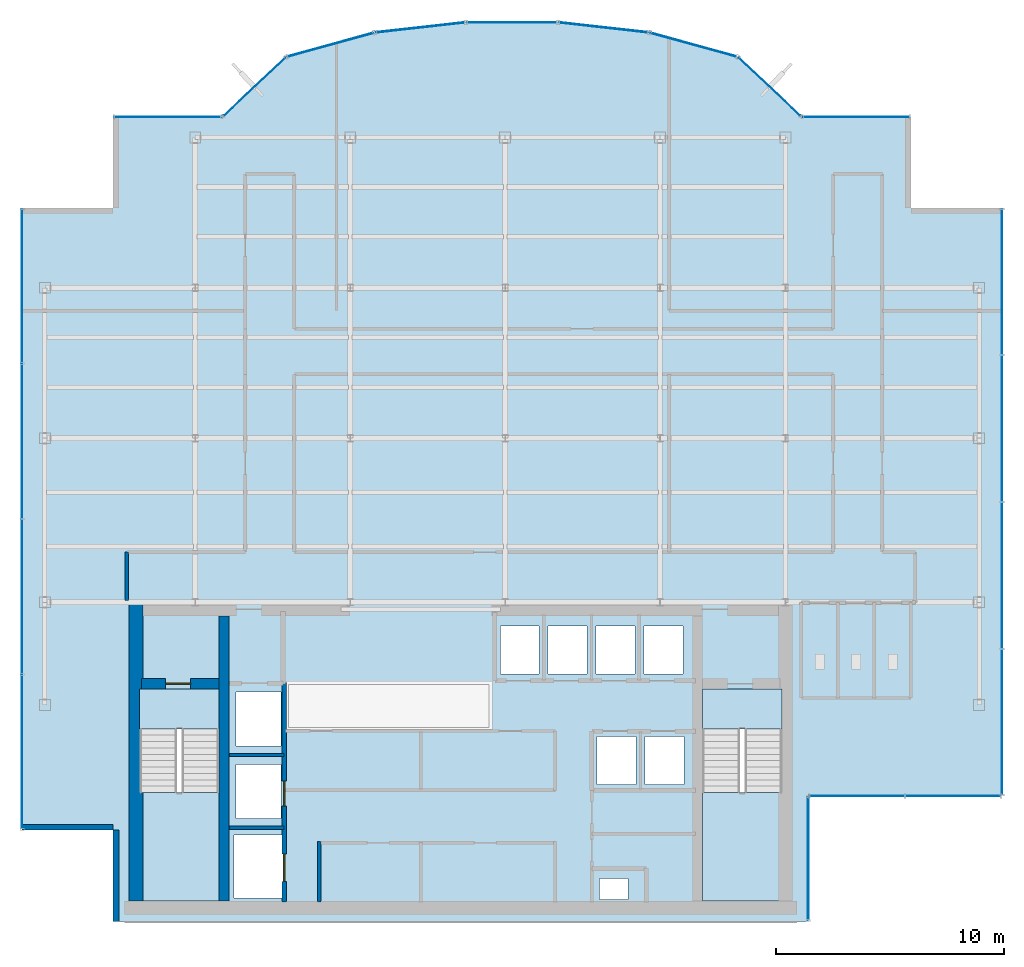
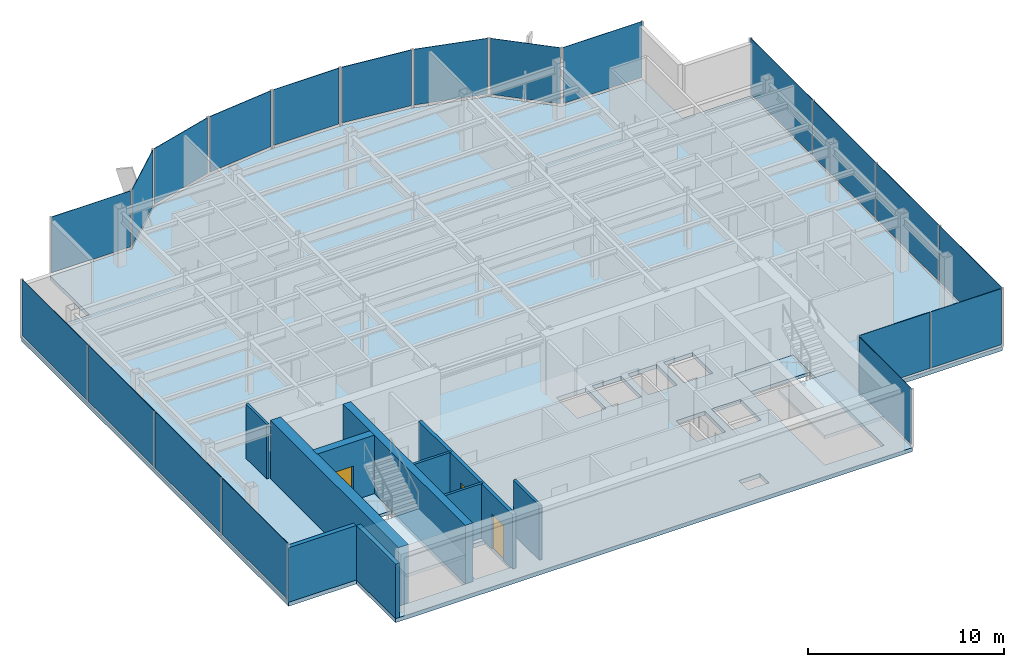
# One storey, part 16 of 22: 20 plates, 10 walls, 5 slabs, 3 doors, 3 openings, 15 elements without a shape of their own.
"""IFC4 building model written with IfcOpenShell, lengths in metres."""

from ifc_helpers import new_model, si_unit, derived_unit, direction, frame, frame_2d, origin, origin_2d, place, context, subcontext, project, spatial, polyline, rectangle, outline, extrude, source, transform, mapped, material, layer, layer_set, type_object, element, fill, aggregate, save


model = new_model("IFC4")

# Units and contexts
model_context = context("Model", 3, precision=1e-05, world=origin(), true_north=direction((0.0, 1.0)))
body_context = subcontext(model_context, "Body", "Model", "MODEL_VIEW")
ifc_project = project(units=[si_unit("LENGTHUNIT", "METRE"), si_unit("AREAUNIT", "SQUARE_METRE"), si_unit("VOLUMEUNIT", "CUBIC_METRE"), si_unit("PLANEANGLEUNIT", "RADIAN"), si_unit("MASSUNIT", "GRAM", prefix="KILO"), derived_unit("THERMALTRANSMITTANCEUNIT", [(si_unit("POWERUNIT", "WATT"), 1), (si_unit("LENGTHUNIT", "METRE"), -2), (si_unit("THERMODYNAMICTEMPERATUREUNIT", "KELVIN"), -1)])], contexts=[model_context])

# Site, building, storey
site_placement = place(None, origin())
site = spatial("IfcSite", under=ifc_project, at=site_placement, CompositionType="ELEMENT")
building_placement = place(site_placement, origin())
building = spatial("IfcBuilding", under=site, at=building_placement, Name="Skarnbrae Concourse Arena and Tower", CompositionType="ELEMENT")
storey_placement = place(building_placement, frame((0.0, 0.0, 266.10009765625)))
storey = spatial("IfcBuildingStorey", under=building, at=storey_placement, Name="L69", CompositionType="ELEMENT", Elevation=266.10009765625)

# Stair, slab
ifc_material_1 = material(Name="Concrete 40 MPa (C40/50)", Category="concrete")
stair_type = type_object("IfcStairType", Name="STAIR-DOGLEG-1650", PredefinedType="HALF_TURN_STAIR", material=ifc_material_1)
stair_1_placement = place(storey_placement, origin())
stair_1 = element("IfcStair", 1, at=stair_1_placement, inside=storey, type_object=stair_type, Name="L69 Protected Exit Stair ST-1", PredefinedType="HALF_TURN_STAIR")
ifc_layer_1 = layer(ifc_material_1, 0.199951171875)
ifc_layer_set_1 = layer_set([ifc_layer_1], Name="Concrete 40 MPa (C40/50)")
slab_type_1 = type_object("IfcSlabType", Name="SLAB-LANDING-200", PredefinedType="LANDING", material=ifc_layer_set_1)
slab_1_placement = place(storey_placement, frame((0.0, 0.0, 1.625)))
slab_1 = element("IfcSlab", 2, at=slab_1_placement, type_object=slab_type_1, Name="ST-1 landing 1", PredefinedType="LANDING", context=body_context, shape_type="SweptSolid", body=[
    extrude(outline(polyline([(5.14990234375, 5.64990234375), (5.14990234375, 0.89990234375), (8.64990234375, 0.89990234375), (8.64990234375, 5.64990234375), (5.14990234375, 5.64990234375)])), origin(), (0.0, 0.0, 1.0), 0.199951171875),
])
aggregate(stair_1, [slab_1])

stair_2_placement = place(storey_placement, origin())
stair_2 = element("IfcStair", 3, at=stair_2_placement, inside=storey, type_object=stair_type, Name="L69 Protected Exit Stair ST-2", PredefinedType="HALF_TURN_STAIR")
slab_2_placement = place(storey_placement, frame((0.0, 0.0, 1.625)))
slab_2 = element("IfcSlab", 4, at=slab_2_placement, type_object=slab_type_1, Name="ST-2 landing 1", PredefinedType="LANDING", context=body_context, shape_type="SweptSolid", body=[
    extrude(outline(polyline([(29.85009765625, 5.64990234375), (29.85009765625, 0.89990234375), (33.35009765625, 0.89990234375), (33.35009765625, 5.64990234375), (29.85009765625, 5.64990234375)])), origin(), (0.0, 0.0, 1.0), 0.199951171875),
])
aggregate(stair_2, [slab_2])

# Slabs
slab_3_placement = place(storey_placement, frame((0.0, 0.0, -0.2001953125)))
element("IfcSlab", 5, at=slab_3_placement, inside=storey, type_object=slab_type_1, Name="L69 Core stair ST1 floor landing", PredefinedType="LANDING", context=body_context, shape_type="SweptSolid", body=[
    extrude(outline(polyline([(5.14990234375, 10.199951171875), (5.14990234375, 8.449951171875), (8.64990234375, 8.449951171875), (8.64990234375, 10.199951171875), (5.14990234375, 10.199951171875)])), origin(), (0.0, 0.0, 1.0), 0.2001953125),
])
slab_4_placement = place(storey_placement, frame((0.0, 0.0, -0.2001953125)))
element("IfcSlab", 6, at=slab_4_placement, inside=storey, type_object=slab_type_1, Name="L69 Core stair ST2 floor landing", PredefinedType="LANDING", context=body_context, shape_type="SweptSolid", body=[
    extrude(outline(polyline([(29.85009765625, 10.199951171875), (29.85009765625, 8.449951171875), (33.35009765625, 8.449951171875), (33.35009765625, 10.199951171875), (29.85009765625, 10.199951171875)])), origin(), (0.0, 0.0, 1.0), 0.2001953125),
])
ifc_layer_2 = layer(ifc_material_1, 0.25)
ifc_layer_set_2 = layer_set([ifc_layer_2], Name="Concrete 40 MPa (C40/50)")
slab_type_2 = type_object("IfcSlabType", Name="SLAB-TOWER-250", PredefinedType="FLOOR", material=ifc_layer_set_2)
slab_5_placement = place(storey_placement, frame((0.0, 0.0, -0.25)))
element("IfcSlab", 7, at=slab_5_placement, inside=storey, type_object=slab_type_2, Name="L69 Structural floor slab", PredefinedType="FLOOR", context=body_context, shape_type="SweptSolid", body=[
    extrude(outline(polyline([(4.0, 0.0), (34.5, 0.0), (34.5, 5.5), (43.0, 5.5), (43.0, 31.300048828125), (39.0, 31.300048828125), (39.0, 35.300048828125), (34.199951171875, 35.300048828125), (31.40966796875, 37.9267578125), (27.52587890625, 38.9970703125), (23.51708984375, 39.44677734375), (19.48291015625, 39.44677734375), (15.47412109375, 38.9970703125), (11.59033203125, 37.9267578125), (8.800048828125, 35.300048828125), (4.0, 35.300048828125), (4.0, 31.300048828125), (0.0, 31.300048828125), (0.0, 4.0), (4.0, 4.0), (4.0, 0.0)]), holes=[polyline([(9.294921875, 1.02001953125), (9.294921875, 3.780029296875), (11.455078125, 3.780029296875), (11.455078125, 1.02001953125), (9.294921875, 1.02001953125)]), polyline([(8.64990234375, 10.199951171875), (8.64990234375, 0.89990234375), (5.14990234375, 0.89990234375), (5.14990234375, 10.199951171875), (8.64990234375, 10.199951171875)]), polyline([(9.39501953125, 6.8798828125), (11.35498046875, 6.8798828125), (11.35498046875, 4.52001953125), (9.39501953125, 4.52001953125), (9.39501953125, 6.8798828125)]), polyline([(9.39501953125, 7.695068359375), (9.39501953125, 10.054931640625), (11.35498046875, 10.054931640625), (11.35498046875, 7.695068359375), (9.39501953125, 7.695068359375)]), polyline([(20.985107421875, 12.955078125), (22.695068359375, 12.955078125), (22.695068359375, 10.844970703125), (20.985107421875, 10.844970703125), (20.985107421875, 12.955078125)]), polyline([(23.0849609375, 12.955078125), (24.794921875, 12.955078125), (24.794921875, 10.844970703125), (23.0849609375, 10.844970703125), (23.0849609375, 12.955078125)]), polyline([(25.35009765625, 0.949951171875), (25.35009765625, 1.889892578125), (26.60009765625, 1.889892578125), (26.60009765625, 0.949951171875), (25.35009765625, 0.949951171875)]), polyline([(33.35009765625, 10.199951171875), (33.35009765625, 0.89990234375), (29.85009765625, 0.89990234375), (29.85009765625, 10.199951171875), (33.35009765625, 10.199951171875)]), polyline([(25.235107421875, 8.10498046875), (26.945068359375, 8.10498046875), (26.945068359375, 5.9951171875), (25.235107421875, 5.9951171875), (25.235107421875, 8.10498046875)]), polyline([(27.3349609375, 5.9951171875), (27.3349609375, 8.10498046875), (29.044921875, 8.10498046875), (29.044921875, 5.9951171875), (27.3349609375, 5.9951171875)]), polyline([(25.18505859375, 12.955078125), (26.89501953125, 12.955078125), (26.89501953125, 10.844970703125), (25.18505859375, 10.844970703125), (25.18505859375, 12.955078125)]), polyline([(27.284912109375, 12.955078125), (28.9951171875, 12.955078125), (28.9951171875, 10.844970703125), (27.284912109375, 10.844970703125), (27.284912109375, 12.955078125)])]), origin(), (0.0, 0.0, 1.0), 0.25),
])

# Curtain wall, plate
ifc_material_2 = material(Name="Bronze anodised aluminium 6063-T6", Category="aluminium")
curtain_wall_type_1 = type_object("IfcCurtainWallType", Name="CW-SYS-05-HIGHZONE", PredefinedType="USERDEFINED", material=ifc_material_2)
curtain_wall_1_placement = place(storey_placement, origin())
curtain_wall_1 = element("IfcCurtainWall", 8, at=curtain_wall_1_placement, inside=storey, type_object=curtain_wall_type_1, Name="L69 Unitised curtain wall CW-L69-E02", ObjectType="UNITISED CURTAIN WALL", PredefinedType="USERDEFINED")
ifc_material_3 = material(Name="Low-E triple insulating glass", Category="glass")
ifc_layer_3 = layer(ifc_material_3, 0.030029296875)
ifc_layer_set_3 = layer_set([ifc_layer_3], Name="Low-E triple insulating glass")
plate_type_1 = type_object("IfcPlateType", Name="CWP-CW-05", PredefinedType="CURTAIN_PANEL", material=ifc_layer_set_3)
shared_shape_1 = source(origin(), body_context, "Body", "SweptSolid", [
    extrude(rectangle(XDim=5.35009765625, YDim=0.030029296875, at=origin_2d()), origin(), (0.0, 0.0, 1.0), 3.5),
])
plate_1_placement = place(storey_placement, frame((34.5, 2.75, 0.14990234375), z_axis=(0.0, 0.0, 1.0), x_axis=(0.0, 1.0, 0.0)))
plate_1 = element("IfcPlate", 9, at=plate_1_placement, type_object=plate_type_1, Name="CW-L69-E02 Low-E Glazing Panel 1", PredefinedType="CURTAIN_PANEL", context=body_context, shape_type="MappedRepresentation", body=[
    mapped(shared_shape_1, transform((0.0, 0.0, 0.0))),
])
aggregate(curtain_wall_1, [plate_1])

# Curtain wall, plates
curtain_wall_2_placement = place(storey_placement, origin())
curtain_wall_2 = element("IfcCurtainWall", 10, at=curtain_wall_2_placement, inside=storey, type_object=curtain_wall_type_1, Name="L69 Unitised curtain wall CW-L69-E03", ObjectType="UNITISED CURTAIN WALL", PredefinedType="USERDEFINED")
shared_shape_2 = source(origin(), body_context, "Body", "SweptSolid", [
    extrude(rectangle(XDim=4.137451171875, YDim=0.030029296875, at=origin_2d()), origin(), (0.0, 0.0, 1.0), 3.5),
])
plate_2_placement = place(storey_placement, frame((36.643798828125, 5.5, 0.14990234375), z_axis=(0.0, 0.0, 1.0), x_axis=(1.0, 0.0, 0.0)))
plate_2 = element("IfcPlate", 11, at=plate_2_placement, type_object=plate_type_1, Name="CW-L69-E03 Low-E Glazing Panel 1", PredefinedType="CURTAIN_PANEL", context=body_context, shape_type="MappedRepresentation", body=[
    mapped(shared_shape_2, transform((0.0, 0.0, 0.0))),
])
plate_3_placement = place(storey_placement, frame((40.856201171875, 5.5, 0.14990234375), z_axis=(0.0, 0.0, 1.0), x_axis=(1.0, 0.0, 0.0)))
plate_3 = element("IfcPlate", 12, at=plate_3_placement, type_object=plate_type_1, Name="CW-L69-E03 Low-E Glazing Panel 2", PredefinedType="CURTAIN_PANEL", context=body_context, shape_type="MappedRepresentation", body=[
    mapped(shared_shape_2, transform((0.0, 0.0, 0.0))),
])
aggregate(curtain_wall_2, [plate_2, plate_3])

# Curtain wall, plate
curtain_wall_3_placement = place(storey_placement, origin())
curtain_wall_3 = element("IfcCurtainWall", 13, at=curtain_wall_3_placement, inside=storey, type_object=curtain_wall_type_1, Name="L69 Unitised curtain wall CW-L69-E07", ObjectType="UNITISED CURTAIN WALL", PredefinedType="USERDEFINED")
shared_shape_3 = source(origin(), body_context, "Body", "SweptSolid", [
    extrude(rectangle(XDim=4.64990234375, YDim=0.030029296875, at=origin_2d()), origin(), (0.0, 0.0, 1.0), 3.5),
])
plate_4_placement = place(storey_placement, frame((36.60009765625, 35.300048828125, 0.14990234375), z_axis=(0.0, 0.0, 1.0), x_axis=(-1.0, 0.0, 0.0)))
plate_4 = element("IfcPlate", 14, at=plate_4_placement, type_object=plate_type_1, Name="CW-L69-E07 Low-E Glazing Panel 1", PredefinedType="CURTAIN_PANEL", context=body_context, shape_type="MappedRepresentation", body=[
    mapped(shared_shape_3, transform((0.0, 0.0, 0.0))),
])
aggregate(curtain_wall_3, [plate_4])

curtain_wall_4_placement = place(storey_placement, origin())
curtain_wall_4 = element("IfcCurtainWall", 15, at=curtain_wall_4_placement, inside=storey, type_object=curtain_wall_type_1, Name="L69 Unitised curtain wall CW-L69-E15", ObjectType="UNITISED CURTAIN WALL", PredefinedType="USERDEFINED")
plate_5_placement = place(storey_placement, frame((6.39990234375, 35.300048828125, 0.14990234375), z_axis=(0.0, 0.0, 1.0), x_axis=(-1.0, 0.0, 0.0)))
plate_5 = element("IfcPlate", 16, at=plate_5_placement, type_object=plate_type_1, Name="CW-L69-E15 Low-E Glazing Panel 1", PredefinedType="CURTAIN_PANEL", context=body_context, shape_type="MappedRepresentation", body=[
    mapped(shared_shape_3, transform((0.0, 0.0, 0.0))),
])
aggregate(curtain_wall_4, [plate_5])

curtain_wall_5_placement = place(storey_placement, origin())
curtain_wall_5 = element("IfcCurtainWall", 17, at=curtain_wall_5_placement, inside=storey, type_object=curtain_wall_type_1, Name="L69 Unitised curtain wall CW-L69-E08", ObjectType="UNITISED CURTAIN WALL", PredefinedType="USERDEFINED")
shared_shape_4 = source(origin(), body_context, "Body", "SweptSolid", [
    extrude(rectangle(XDim=3.68212890625, YDim=0.030029296875, at=origin_2d()), origin(), (0.0, 0.0, 1.0), 3.5),
])
plate_6_placement = place(storey_placement, frame((32.804931640625, 36.61328125, 0.14990234375), z_axis=(0.0, 0.0, 1.0), x_axis=(-0.728130555214, 0.685438468838, 0.0)))
plate_6 = element("IfcPlate", 18, at=plate_6_placement, type_object=plate_type_1, Name="CW-L69-E08 Low-E Glazing Panel 1", PredefinedType="CURTAIN_PANEL", context=body_context, shape_type="MappedRepresentation", body=[
    mapped(shared_shape_4, transform((0.0, 0.0, 0.0))),
])
aggregate(curtain_wall_5, [plate_6])

curtain_wall_6_placement = place(storey_placement, origin())
curtain_wall_6 = element("IfcCurtainWall", 19, at=curtain_wall_6_placement, inside=storey, type_object=curtain_wall_type_1, Name="L69 Unitised curtain wall CW-L69-E14", ObjectType="UNITISED CURTAIN WALL", PredefinedType="USERDEFINED")
plate_7_placement = place(storey_placement, frame((10.195068359375, 36.61328125, 0.14990234375), z_axis=(0.0, 0.0, 1.0), x_axis=(-0.728130555214, -0.685438468838, 0.0)))
plate_7 = element("IfcPlate", 20, at=plate_7_placement, type_object=plate_type_1, Name="CW-L69-E14 Low-E Glazing Panel 1", PredefinedType="CURTAIN_PANEL", context=body_context, shape_type="MappedRepresentation", body=[
    mapped(shared_shape_4, transform((0.0, 0.0, 0.0))),
])
aggregate(curtain_wall_6, [plate_7])

# Curtain wall, plates
curtain_wall_7_placement = place(storey_placement, origin())
curtain_wall_7 = element("IfcCurtainWall", 21, at=curtain_wall_7_placement, inside=storey, type_object=curtain_wall_type_1, Name="L69 Unitised curtain wall CW-L69-E18", ObjectType="UNITISED CURTAIN WALL", PredefinedType="USERDEFINED")
shared_shape_5 = source(origin(), body_context, "Body", "SweptSolid", [
    extrude(rectangle(XDim=6.71240234375, YDim=0.030029296875, at=origin_2d()), origin(), (0.0, 0.0, 1.0), 3.5),
])
plate_8_placement = place(storey_placement, frame((0.0, 27.86865234375, 0.14990234375), z_axis=(0.0, 0.0, 1.0), x_axis=(0.0, -1.0, 0.0)))
plate_8 = element("IfcPlate", 22, at=plate_8_placement, type_object=plate_type_1, Name="CW-L69-E18 Low-E Glazing Panel 1", PredefinedType="CURTAIN_PANEL", context=body_context, shape_type="MappedRepresentation", body=[
    mapped(shared_shape_5, transform((0.0, 0.0, 0.0))),
])
plate_9_placement = place(storey_placement, frame((0.0, 7.431396484375, 0.14990234375), z_axis=(0.0, 0.0, 1.0), x_axis=(0.0, -1.0, 0.0)))
plate_9 = element("IfcPlate", 23, at=plate_9_placement, type_object=plate_type_1, Name="CW-L69-E18 Low-E Glazing Panel 4", PredefinedType="CURTAIN_PANEL", context=body_context, shape_type="MappedRepresentation", body=[
    mapped(shared_shape_5, transform((0.0, 0.0, 0.0))),
])
shared_shape_6 = source(origin(), body_context, "Body", "SweptSolid", [
    extrude(rectangle(XDim=6.75, YDim=0.030029296875, at=origin_2d()), origin(), (0.0, 0.0, 1.0), 3.5),
])
plate_10_placement = place(storey_placement, frame((0.0, 21.0625, 0.14990234375), z_axis=(0.0, 0.0, 1.0), x_axis=(0.0, -1.0, 0.0)))
plate_10 = element("IfcPlate", 24, at=plate_10_placement, type_object=plate_type_1, Name="CW-L69-E18 Low-E Glazing Panel 2", PredefinedType="CURTAIN_PANEL", context=body_context, shape_type="MappedRepresentation", body=[
    mapped(shared_shape_6, transform((0.0, 0.0, 0.0))),
])
plate_11_placement = place(storey_placement, frame((0.0, 14.237548828125, 0.14990234375), z_axis=(0.0, 0.0, 1.0), x_axis=(0.0, -1.0, 0.0)))
plate_11 = element("IfcPlate", 25, at=plate_11_placement, type_object=plate_type_1, Name="CW-L69-E18 Low-E Glazing Panel 3", PredefinedType="CURTAIN_PANEL", context=body_context, shape_type="MappedRepresentation", body=[
    mapped(shared_shape_6, transform((0.0, 0.0, 0.0))),
])
aggregate(curtain_wall_7, [plate_8, plate_10, plate_11, plate_9])

curtain_wall_8_placement = place(storey_placement, origin())
curtain_wall_8 = element("IfcCurtainWall", 26, at=curtain_wall_8_placement, inside=storey, type_object=curtain_wall_type_1, Name="L69 Unitised curtain wall CW-L69-E04", ObjectType="UNITISED CURTAIN WALL", PredefinedType="USERDEFINED")
shared_shape_7 = source(origin(), body_context, "Body", "SweptSolid", [
    extrude(rectangle(XDim=6.33740234375, YDim=0.030029296875, at=origin_2d()), origin(), (0.0, 0.0, 1.0), 3.5),
])
plate_12_placement = place(storey_placement, frame((43.0, 8.743896484375, 0.14990234375), z_axis=(0.0, 0.0, 1.0), x_axis=(0.0, 1.0, 0.0)))
plate_12 = element("IfcPlate", 27, at=plate_12_placement, type_object=plate_type_1, Name="CW-L69-E04 Low-E Glazing Panel 1", PredefinedType="CURTAIN_PANEL", context=body_context, shape_type="MappedRepresentation", body=[
    mapped(shared_shape_7, transform((0.0, 0.0, 0.0))),
])
plate_13_placement = place(storey_placement, frame((43.0, 28.05615234375, 0.14990234375), z_axis=(0.0, 0.0, 1.0), x_axis=(0.0, 1.0, 0.0)))
plate_13 = element("IfcPlate", 28, at=plate_13_placement, type_object=plate_type_1, Name="CW-L69-E04 Low-E Glazing Panel 4", PredefinedType="CURTAIN_PANEL", context=body_context, shape_type="MappedRepresentation", body=[
    mapped(shared_shape_7, transform((0.0, 0.0, 0.0))),
])
shared_shape_8 = source(origin(), body_context, "Body", "SweptSolid", [
    extrude(rectangle(XDim=6.375, YDim=0.030029296875, at=origin_2d()), origin(), (0.0, 0.0, 1.0), 3.5),
])
plate_14_placement = place(storey_placement, frame((43.0, 15.175048828125, 0.14990234375), z_axis=(0.0, 0.0, 1.0), x_axis=(0.0, 1.0, 0.0)))
plate_14 = element("IfcPlate", 29, at=plate_14_placement, type_object=plate_type_1, Name="CW-L69-E04 Low-E Glazing Panel 2", PredefinedType="CURTAIN_PANEL", context=body_context, shape_type="MappedRepresentation", body=[
    mapped(shared_shape_8, transform((0.0, 0.0, 0.0))),
])
plate_15_placement = place(storey_placement, frame((43.0, 21.625, 0.14990234375), z_axis=(0.0, 0.0, 1.0), x_axis=(0.0, 1.0, 0.0)))
plate_15 = element("IfcPlate", 30, at=plate_15_placement, type_object=plate_type_1, Name="CW-L69-E04 Low-E Glazing Panel 3", PredefinedType="CURTAIN_PANEL", context=body_context, shape_type="MappedRepresentation", body=[
    mapped(shared_shape_8, transform((0.0, 0.0, 0.0))),
])
aggregate(curtain_wall_8, [plate_12, plate_14, plate_15, plate_13])

# Curtain wall, plate
curtain_wall_type_2 = type_object("IfcCurtainWallType", Name="CW-SYS-03-PORTAL", PredefinedType="USERDEFINED", material=ifc_material_2)
curtain_wall_9_placement = place(storey_placement, origin())
curtain_wall_9 = element("IfcCurtainWall", 31, at=curtain_wall_9_placement, inside=storey, type_object=curtain_wall_type_2, Name="L69 Unitised curtain wall CW-L69-E09", ObjectType="UNITISED CURTAIN WALL", PredefinedType="USERDEFINED")
ifc_layer_4 = layer(ifc_material_3, 0.033935546875)
ifc_layer_set_4 = layer_set([ifc_layer_4], Name="Low-E triple insulating glass")
plate_type_2 = type_object("IfcPlateType", Name="CWP-CW-03", PredefinedType="CURTAIN_PANEL", material=ifc_layer_set_4)
shared_shape_9 = source(origin(), body_context, "Body", "SweptSolid", [
    extrude(rectangle(XDim=3.86865234375, YDim=0.033935546875, at=origin_2d()), origin(), (0.0, 0.0, 1.0), 3.47998046875),
])
plate_16_placement = place(storey_placement, frame((29.4677734375, 38.4619140625, 0.169921875), z_axis=(0.0, 0.0, 1.0), x_axis=(-0.964057388766, 0.265694093207, 0.0)))
plate_16 = element("IfcPlate", 32, at=plate_16_placement, type_object=plate_type_2, Name="CW-L69-E09 Low-E Glazing Panel 1", PredefinedType="CURTAIN_PANEL", context=body_context, shape_type="MappedRepresentation", body=[
    mapped(shared_shape_9, transform((0.0, 0.0, 0.0))),
])
aggregate(curtain_wall_9, [plate_16])

curtain_wall_10_placement = place(storey_placement, origin())
curtain_wall_10 = element("IfcCurtainWall", 33, at=curtain_wall_10_placement, inside=storey, type_object=curtain_wall_type_2, Name="L69 Unitised curtain wall CW-L69-E13", ObjectType="UNITISED CURTAIN WALL", PredefinedType="USERDEFINED")
plate_17_placement = place(storey_placement, frame((13.5322265625, 38.4619140625, 0.169921875), z_axis=(0.0, 0.0, 1.0), x_axis=(-0.964057388766, -0.265694093207, 0.0)))
plate_17 = element("IfcPlate", 34, at=plate_17_placement, type_object=plate_type_2, Name="CW-L69-E13 Low-E Glazing Panel 1", PredefinedType="CURTAIN_PANEL", context=body_context, shape_type="MappedRepresentation", body=[
    mapped(shared_shape_9, transform((0.0, 0.0, 0.0))),
])
aggregate(curtain_wall_10, [plate_17])

curtain_wall_11_placement = place(storey_placement, origin())
curtain_wall_11 = element("IfcCurtainWall", 35, at=curtain_wall_11_placement, inside=storey, type_object=curtain_wall_type_2, Name="L69 Unitised curtain wall CW-L69-E10", ObjectType="UNITISED CURTAIN WALL", PredefinedType="USERDEFINED")
shared_shape_10 = source(origin(), body_context, "Body", "SweptSolid", [
    extrude(rectangle(XDim=3.873779296875, YDim=0.033935546875, at=origin_2d()), origin(), (0.0, 0.0, 1.0), 3.47998046875),
])
plate_18_placement = place(storey_placement, frame((25.521484375, 39.221923828125, 0.169921875), z_axis=(0.0, 0.0, 1.0), x_axis=(-0.993768891873, 0.111460259941, 0.0)))
plate_18 = element("IfcPlate", 36, at=plate_18_placement, type_object=plate_type_2, Name="CW-L69-E10 Low-E Glazing Panel 1", PredefinedType="CURTAIN_PANEL", context=body_context, shape_type="MappedRepresentation", body=[
    mapped(shared_shape_10, transform((0.0, 0.0, 0.0))),
])
aggregate(curtain_wall_11, [plate_18])

curtain_wall_12_placement = place(storey_placement, origin())
curtain_wall_12 = element("IfcCurtainWall", 37, at=curtain_wall_12_placement, inside=storey, type_object=curtain_wall_type_2, Name="L69 Unitised curtain wall CW-L69-E12", ObjectType="UNITISED CURTAIN WALL", PredefinedType="USERDEFINED")
plate_19_placement = place(storey_placement, frame((17.478515625, 39.221923828125, 0.169921875), z_axis=(0.0, 0.0, 1.0), x_axis=(-0.993768891873, -0.111460259941, 0.0)))
plate_19 = element("IfcPlate", 38, at=plate_19_placement, type_object=plate_type_2, Name="CW-L69-E12 Low-E Glazing Panel 1", PredefinedType="CURTAIN_PANEL", context=body_context, shape_type="MappedRepresentation", body=[
    mapped(shared_shape_10, transform((0.0, 0.0, 0.0))),
])
aggregate(curtain_wall_12, [plate_19])

curtain_wall_13_placement = place(storey_placement, origin())
curtain_wall_13 = element("IfcCurtainWall", 39, at=curtain_wall_13_placement, inside=storey, type_object=curtain_wall_type_2, Name="L69 Unitised curtain wall CW-L69-E11", ObjectType="UNITISED CURTAIN WALL", PredefinedType="USERDEFINED")
shared_shape_11 = source(origin(), body_context, "Body", "SweptSolid", [
    extrude(rectangle(XDim=3.87451171875, YDim=0.033935546875, at=origin_2d()), origin(), (0.0, 0.0, 1.0), 3.47998046875),
])
plate_20_placement = place(storey_placement, frame((21.5, 39.44677734375, 0.169921875), z_axis=(0.0, 0.0, 1.0), x_axis=(-1.0, 0.0, 0.0)))
plate_20 = element("IfcPlate", 40, at=plate_20_placement, type_object=plate_type_2, Name="CW-L69-E11 Low-E Glazing Panel 1", PredefinedType="CURTAIN_PANEL", context=body_context, shape_type="MappedRepresentation", body=[
    mapped(shared_shape_11, transform((0.0, 0.0, 0.0))),
])
aggregate(curtain_wall_13, [plate_20])

# Wall, opening, door
ifc_material_4 = material(Name="Concrete 50 MPa (C50/60)", Category="concrete")
ifc_layer_5 = layer(ifc_material_4, 0.449951171875)
ifc_layer_set_5 = layer_set([ifc_layer_5], Name="Concrete 50 MPa (C50/60)")
wall_type_1 = type_object("IfcWallType", Name="WALL-CORE-450-C50", PredefinedType="SHEAR", material=ifc_layer_set_5)
shared_shape_12 = source(origin(), body_context, "Body", "SweptSolid", [
    extrude(rectangle(XDim=3.389892578125, YDim=0.449951171875, at=frame_2d((1.69482421875, 0.0))), origin(), (0.0, 0.0, 1.0), 3.64990234375),
])
wall_1_placement = place(storey_placement, frame((5.25, 10.419921875, 0.0), z_axis=(0.0, 0.0, 1.0), x_axis=(1.0, 0.0, 0.0)))
wall_1 = element("IfcWall", 41, at=wall_1_placement, inside=storey, type_object=wall_type_1, Name="L69 Rear core shear wall CW-ST1-N", PredefinedType="SHEAR", context=body_context, shape_type="MappedRepresentation", body=[
    mapped(shared_shape_12, transform((0.0, 0.0, 0.0))),
])
opening_1_placement = place(wall_1_placement, frame((1.050048828125, 0.0, 0.0)))
opening_1 = element("IfcOpeningElement", 42, at=opening_1_placement, cuts=wall_1, Name="Opening DT-03", PredefinedType="OPENING", context=body_context, shape_type="SweptSolid", body=[
    extrude(rectangle(XDim=1.10009765625, YDim=2.14990234375, at=frame_2d((0.550048828125, 1.074951171875))), frame((0.0, 0.23486328125, 0.0), z_axis=(0.0, -1.0, 0.0), x_axis=(1.0, 0.0, 0.0)), (0.0, 0.0, 1.0), 0.469970703125),
])
ifc_material_5 = material(Name="Steel CSA G40.21 350W", Category="steel")
door_type_1 = type_object("IfcDoorType", Name="DOOR-FIRE-1100-90M", OperationType="NOTDEFINED", PredefinedType="DOOR", material=ifc_material_5)
shared_shape_13 = source(origin(), body_context, "Body", "SweptSolid", [
    extrude(rectangle(XDim=1.10009765625, YDim=2.14990234375, at=frame_2d((0.550048828125, 1.074951171875))), frame((0.0, 0.02490234375, 0.0), z_axis=(0.0, -1.0, 0.0), x_axis=(1.0, 0.0, 0.0)), (0.0, 0.0, 1.0), 0.050048828125),
])
door_1_placement = place(opening_1_placement, frame((1.10009765625, 0.0, 0.0), z_axis=(0.0, 0.0, 1.0), x_axis=(-1.0, 0.0, 0.0)))
door_1 = element("IfcDoor", 43, at=door_1_placement, inside=storey, type_object=door_type_1, Name="D-2077 Stair ST-1 Door", OperationType="SINGLE_SWING_LEFT", OverallHeight=2.14990234375, OverallWidth=1.10009765625, PredefinedType="DOOR", context=body_context, shape_type="MappedRepresentation", body=[
    mapped(shared_shape_13, transform((0.0, 0.0, 0.0))),
])
fill(opening_1, door_1)

# Walls
ifc_layer_6 = layer(ifc_material_4, 0.60009765625)
ifc_layer_set_6 = layer_set([ifc_layer_6], Name="Concrete 50 MPa (C50/60)")
wall_type_2 = type_object("IfcWallType", Name="WALL-CORE-600-C50", PredefinedType="SHEAR", material=ifc_layer_set_6)
shared_shape_14 = source(origin(), body_context, "Body", "SweptSolid", [
    extrude(rectangle(XDim=13.10009765625, YDim=0.60009765625, at=frame_2d((6.550048828125, 0.0))), origin(), (0.0, 0.0, 1.0), 3.64990234375),
])
wall_2_placement = place(storey_placement, frame((5.0, 0.89990234375, 0.0), z_axis=(0.0, 0.0, 1.0), x_axis=(0.0, 1.0, 0.0)))
element("IfcWall", 44, at=wall_2_placement, inside=storey, type_object=wall_type_2, Name="L69 Rear core shear wall CW-W", PredefinedType="SHEAR", context=body_context, shape_type="MappedRepresentation", body=[
    mapped(shared_shape_14, transform((0.0, 0.0, 0.0))),
])
shared_shape_15 = source(origin(), body_context, "Body", "SweptSolid", [
    extrude(rectangle(XDim=12.5, YDim=0.449951171875, at=frame_2d((6.25, 0.0))), origin(), (0.0, 0.0, 1.0), 3.64990234375),
])
wall_3_placement = place(storey_placement, frame((8.864990234375, 0.89990234375, 0.0), z_axis=(0.0, 0.0, 1.0), x_axis=(0.0, 1.0, 0.0)))
element("IfcWall", 45, at=wall_3_placement, inside=storey, type_object=wall_type_1, Name="L69 Rear core shear wall CW-WEB-W", PredefinedType="SHEAR", context=body_context, shape_type="MappedRepresentation", body=[
    mapped(shared_shape_15, transform((0.0, 0.0, 0.0))),
])
ifc_material_6 = material(Name="Precast concrete 40 MPa (C40/50)", Category="concrete")
ifc_layer_7 = layer(ifc_material_6, 0.25)
ifc_layer_set_7 = layer_set([ifc_layer_7], Name="Precast concrete 40 MPa (C40/50)")
wall_type_3 = type_object("IfcWallType", Name="WALL-EXT-SPANDREL-250", PredefinedType="STANDARD", material=ifc_layer_set_7)
shared_shape_16 = source(origin(), body_context, "Body", "SweptSolid", [
    extrude(rectangle(XDim=4.0, YDim=0.25, at=frame_2d((2.0, 0.0))), origin(), (0.0, 0.0, 1.0), 3.39990234375),
])
for number, where, z_axis, x_axis, name in (
    (46, (0.0, 4.125, 0.0), (0.0, 0.0, 1.0), (1.0, 0.0, 0.0), "L69 Notched corner insulated return wall 19"),
    (47, (4.125, 4.0, 0.0), (0.0, 0.0, 1.0), (0.0, -1.0, 0.0), "L69 Notched corner insulated return wall 20"),
):
    element("IfcWall", number, at=place(storey_placement, frame(where, z_axis=z_axis, x_axis=x_axis)), inside=storey, type_object=wall_type_3, Name=name, PredefinedType="STANDARD", context=body_context, shape_type="MappedRepresentation", body=[
        mapped(shared_shape_16, transform((0.0, 0.0, 0.0))),
    ])

# Wall, openings, doors
ifc_material_7 = material(Name="Gypsum board on cold-formed steel studs", Category="steel")
ifc_layer_8 = layer(ifc_material_7, 0.199951171875)
ifc_layer_set_8 = layer_set([ifc_layer_8], Name="Gypsum board on cold-formed steel studs")
wall_type_4 = type_object("IfcWallType", Name="WALL-PART-200-2HR", PredefinedType="PARTITIONING", material=ifc_layer_set_8)
shared_shape_17 = source(origin(), body_context, "Body", "SweptSolid", [
    extrude(rectangle(XDim=9.599853515625, YDim=0.199951171875, at=frame_2d((4.7998046875, 0.0))), origin(), (0.0, 0.0, 1.0), 3.39990234375),
])
wall_4_placement = place(storey_placement, frame((11.5, 0.85009765625, 0.0), z_axis=(0.0, 0.0, 1.0), x_axis=(0.0, 1.0, 0.0)))
wall_4 = element("IfcWall", 48, at=wall_4_placement, inside=storey, type_object=wall_type_4, Name="L69 Interior partition wall W-L69-FL-E", PredefinedType="PARTITIONING", context=body_context, shape_type="MappedRepresentation", body=[
    mapped(shared_shape_17, transform((0.0, 0.0, 0.0))),
])
opening_2_placement = place(wall_4_placement, frame((4.199951171875, 0.0, 0.0)))
opening_2 = element("IfcOpeningElement", 49, at=opening_2_placement, cuts=wall_4, Name="Opening LD-01", PredefinedType="OPENING", context=body_context, shape_type="SweptSolid", body=[
    extrude(rectangle(XDim=1.10009765625, YDim=2.14990234375, at=frame_2d((0.550048828125, 1.074951171875))), frame((0.0, 0.10986328125, 0.0), z_axis=(0.0, -1.0, 0.0), x_axis=(1.0, 0.0, 0.0)), (0.0, 0.0, 1.0), 0.219970703125),
])
opening_3_placement = place(wall_4_placement, frame((0.89990234375, 0.0, 0.0)))
opening_3 = element("IfcOpeningElement", 50, at=opening_3_placement, cuts=wall_4, Name="Opening LD-02", PredefinedType="OPENING", context=body_context, shape_type="SweptSolid", body=[
    extrude(rectangle(XDim=1.199951171875, YDim=2.14990234375, at=frame_2d((0.60009765625, 1.074951171875))), frame((0.0, 0.10986328125, 0.0), z_axis=(0.0, -1.0, 0.0), x_axis=(1.0, 0.0, 0.0)), (0.0, 0.0, 1.0), 0.219970703125),
])
door_type_2 = type_object("IfcDoorType", Name="DOOR-LIFT-SLIDE-1100", OperationType="SLIDING_TO_LEFT", PredefinedType="DOOR", material=ifc_material_5)
door_2_placement = place(opening_2_placement, frame((1.10009765625, 0.0, 0.0), z_axis=(0.0, 0.0, 1.0), x_axis=(-1.0, 0.0, 0.0)))
door_2 = element("IfcDoor", 51, at=door_2_placement, inside=storey, type_object=door_type_2, Name="D-2082 Firefighting Lift Landing Door FL-02", OperationType="SLIDING_TO_LEFT", OverallHeight=2.14990234375, OverallWidth=1.10009765625, PredefinedType="DOOR", context=body_context, shape_type="MappedRepresentation", body=[
    mapped(shared_shape_13, transform((0.0, 0.0, 0.0))),
])
fill(opening_2, door_2)
door_type_3 = type_object("IfcDoorType", Name="DOOR-LIFT-SLIDE-1200", OperationType="SLIDING_TO_LEFT", PredefinedType="DOOR", material=ifc_material_5)
shared_shape_18 = source(origin(), body_context, "Body", "SweptSolid", [
    extrude(rectangle(XDim=1.199951171875, YDim=2.14990234375, at=frame_2d((0.60009765625, 1.074951171875))), frame((0.0, 0.02490234375, 0.0), z_axis=(0.0, -1.0, 0.0), x_axis=(1.0, 0.0, 0.0)), (0.0, 0.0, 1.0), 0.050048828125),
])
door_3_placement = place(opening_3_placement, frame((1.199951171875, 0.0, 0.0), z_axis=(0.0, 0.0, 1.0), x_axis=(-1.0, 0.0, 0.0)))
door_3 = element("IfcDoor", 52, at=door_3_placement, inside=storey, type_object=door_type_3, Name="D-2083 Service Lift Landing Door SV-01", OperationType="SLIDING_TO_LEFT", OverallHeight=2.14990234375, OverallWidth=1.199951171875, PredefinedType="DOOR", context=body_context, shape_type="MappedRepresentation", body=[
    mapped(shared_shape_18, transform((0.0, 0.0, 0.0))),
])
fill(opening_3, door_3)

# Walls
ifc_layer_9 = layer(ifc_material_7, 0.14990234375)
ifc_layer_set_9 = layer_set([ifc_layer_9], Name="Gypsum board on cold-formed steel studs")
wall_type_5 = type_object("IfcWallType", Name="WALL-PART-150", PredefinedType="PARTITIONING", material=ifc_layer_set_9)
shared_shape_19 = source(origin(), body_context, "Body", "SweptSolid", [
    extrude(rectangle(XDim=2.39990234375, YDim=0.14990234375, at=frame_2d((1.199951171875, 0.0))), origin(), (0.0, 0.0, 1.0), 3.39990234375),
])
for number, where, z_axis, x_axis, name in (
    (53, (9.10009765625, 4.10009765625, 0.0), (0.0, 0.0, 1.0), (1.0, 0.0, 0.0), "L69 Interior partition wall W-L69-FL-D1"),
    (54, (9.10009765625, 7.300048828125, 0.0), (0.0, 0.0, 1.0), (1.0, 0.0, 0.0), "L69 Interior partition wall W-L69-FL-D2"),
):
    element("IfcWall", number, at=place(storey_placement, frame(where, z_axis=z_axis, x_axis=x_axis)), inside=storey, type_object=wall_type_5, Name=name, PredefinedType="PARTITIONING", context=body_context, shape_type="MappedRepresentation", body=[
        mapped(shared_shape_19, transform((0.0, 0.0, 0.0))),
    ])
ifc_layer_10 = layer(ifc_material_7, 0.14990234375)
ifc_layer_set_10 = layer_set([ifc_layer_10], Name="Gypsum board on cold-formed steel studs")
wall_type_6 = type_object("IfcWallType", Name="WALL-PART-150-1HR", PredefinedType="PARTITIONING", material=ifc_layer_set_10)
shared_shape_20 = source(origin(), body_context, "Body", "SweptSolid", [
    extrude(rectangle(XDim=2.64990234375, YDim=0.14990234375, at=frame_2d((1.324951171875, 0.0))), origin(), (0.0, 0.0, 1.0), 3.39990234375),
])
wall_5_placement = place(storey_placement, frame((13.050048828125, 0.85009765625, 0.0), z_axis=(0.0, 0.0, 1.0), x_axis=(0.0, 1.0, 0.0)))
element("IfcWall", 55, at=wall_5_placement, inside=storey, type_object=wall_type_6, Name="L69 Interior partition wall W-L69-B1M-W", PredefinedType="PARTITIONING", context=body_context, shape_type="MappedRepresentation", body=[
    mapped(shared_shape_20, transform((0.0, 0.0, 0.0))),
])
shared_shape_21 = source(origin(), body_context, "Body", "SweptSolid", [
    extrude(rectangle(XDim=2.119873046875, YDim=0.14990234375, at=frame_2d((1.06005859375, 0.0))), origin(), (0.0, 0.0, 1.0), 3.39990234375),
])
wall_6_placement = place(storey_placement, frame((4.60009765625, 14.080078125, 0.0), z_axis=(0.0, 0.0, 1.0), x_axis=(0.0, 1.0, 0.0)))
element("IfcWall", 56, at=wall_6_placement, inside=storey, type_object=wall_type_6, Name="L69 Interior partition wall W-L69-COR-01", PredefinedType="PARTITIONING", context=body_context, shape_type="MappedRepresentation", body=[
    mapped(shared_shape_21, transform((0.0, 0.0, 0.0))),
])

save(model, "model.ifc")
